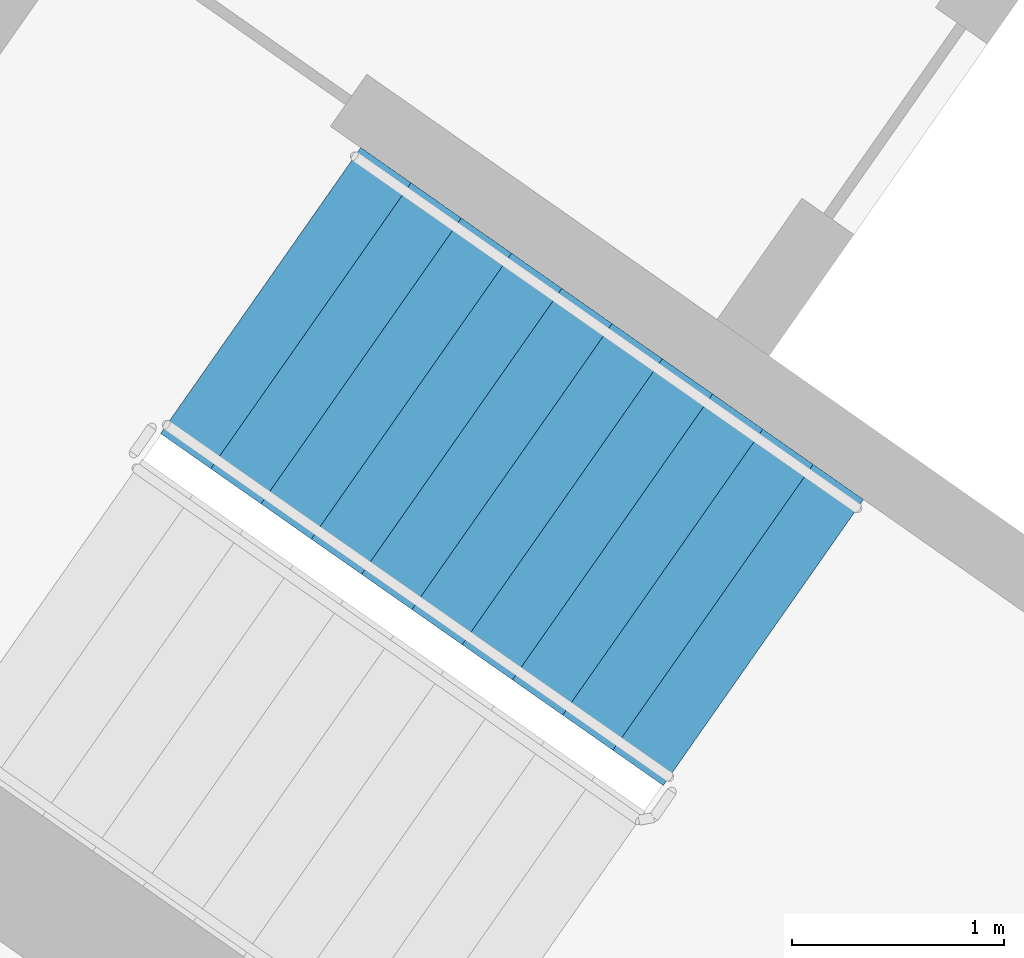
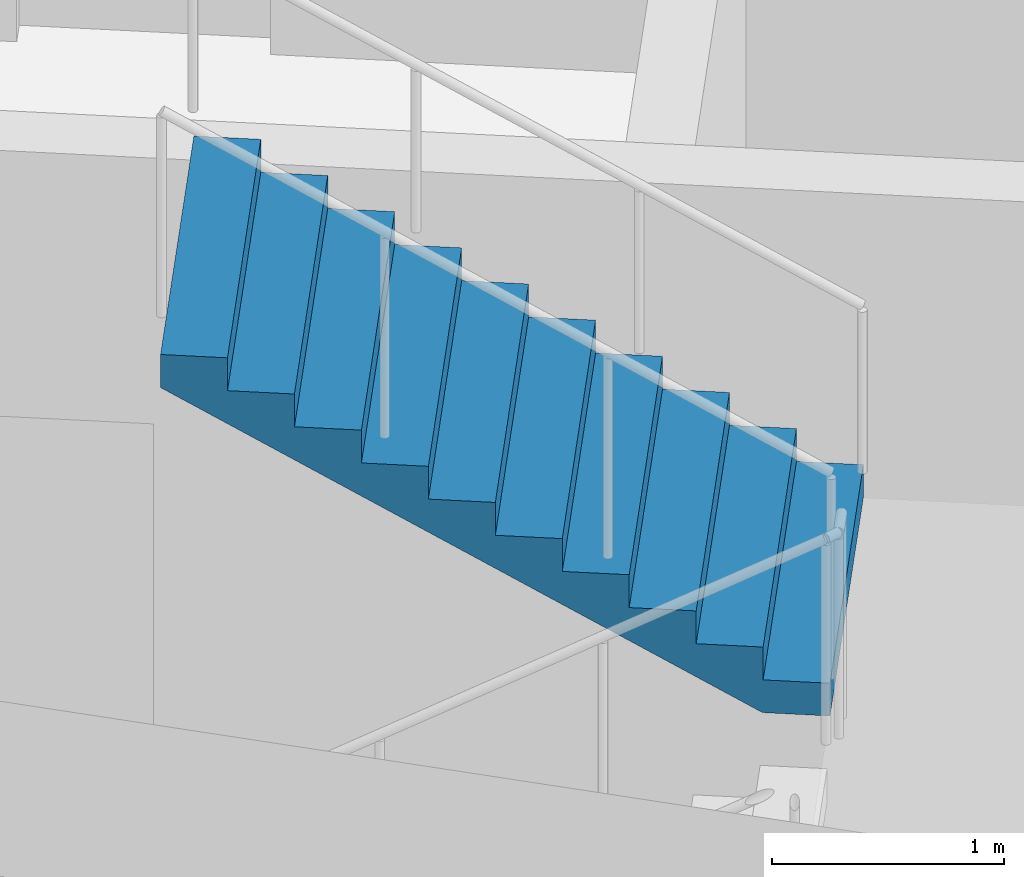
# One storey, part 10 of 27: 1 stair flight, 1 element without a shape of its own.
"""IFC4 building model written with IfcOpenShell, lengths in metres."""

import ifcopenshell
import ifcopenshell.guid

model = None  # the IFC model being written
_history = None  # IfcOwnerHistory: only IFC2X3 demands one
_inside = {}  # id of a spatial element -> (the spatial element, [elements in it])
_under = {}  # id of a project, library or spatial element -> (it, [spatial elements below it])
_declared = {}  # id of a project -> (the project, [libraries it declares])
_typed = {}  # id of a type object -> (the type object, [elements of that type])
_made_of = {}  # id of a material, layer set ... -> (it, [elements and type objects made of it])


def new_model(schema):
    """Start an empty IFC model of exactly this schema.

    Asked for "IFC4X3", IfcOpenShell would pick the latest addendum, in which some entities
    have other attributes; the version numbers below select the first issue.
    IFC2X3 requires an IfcOwnerHistory on every rooted entity: one is made here for all.
    """
    global model, _history
    if schema == "IFC4X3":
        model = ifcopenshell.file(schema_version=(4, 3, 0, 0))
    else:
        model = ifcopenshell.file(schema=schema)
    _inside.clear()
    _under.clear()
    _declared.clear()
    _typed.clear()
    _made_of.clear()
    _history = None
    if model.schema == "IFC2X3":
        org = make("IfcOrganization", Name="unknown")
        user = make(
            "IfcPersonAndOrganization",
            ThePerson=make("IfcPerson", FamilyName="unknown"),
            TheOrganization=org,
        )
        app = make(
            "IfcApplication",
            ApplicationDeveloper=org,
            Version="unknown",
            ApplicationFullName="unknown",
            ApplicationIdentifier="unknown",
        )
        _history = make(
            "IfcOwnerHistory",
            OwningUser=user,
            OwningApplication=app,
            ChangeAction="ADDED",
            CreationDate=0,
        )
    return model


def make(cls, **values):
    """One entity of the class cls with the attributes given. An attribute that is None is left unset."""
    return model.create_entity(
        cls, **{name: value for name, value in values.items() if value is not None}
    )


def rooted(cls, **values):
    """An entity with a GlobalId (a new one), such as an element, a storey or a relation."""
    return make(cls, GlobalId=ifcopenshell.guid.new(), OwnerHistory=_history, **values)


def si_unit(unit_type, name, prefix=None):
    """IfcSIUnit, for example si_unit("LENGTHUNIT", "METRE", prefix="MILLI")."""
    return make("IfcSIUnit", UnitType=unit_type, Prefix=prefix, Name=name)


def assignment(units):
    """IfcUnitAssignment: the units of a project."""
    return None if units is None else make("IfcUnitAssignment", Units=units)


def point(xyz):
    """IfcCartesianPoint."""
    return None if xyz is None else make("IfcCartesianPoint", Coordinates=xyz)


def direction(xyz):
    """IfcDirection."""
    return None if xyz is None else make("IfcDirection", DirectionRatios=xyz)


def frame(location, z_axis=None, x_axis=None):
    """IfcAxis2Placement3D, a coordinate frame: its origin and axes. An axis left out is left unset."""
    return make(
        "IfcAxis2Placement3D",
        Location=point(location),
        Axis=direction(z_axis),
        RefDirection=direction(x_axis),
    )


def origin():
    """The frame at (0, 0, 0) with its axes left unset."""
    return frame((0.0, 0.0, 0.0))


def place(relative_to, where):
    """IfcLocalPlacement: puts the frame where relative to a parent placement (None: the world)."""
    return make(
        "IfcLocalPlacement", PlacementRelTo=relative_to, RelativePlacement=where
    )


def context(
    kind, dimensions, precision=None, world=None, true_north=None, identifier=None
):
    """IfcGeometricRepresentationContext, for example the 3D "Model" context."""
    return make(
        "IfcGeometricRepresentationContext",
        ContextIdentifier=identifier,
        ContextType=kind,
        CoordinateSpaceDimension=dimensions,
        Precision=precision,
        WorldCoordinateSystem=world,
        TrueNorth=true_north,
    )


def subcontext(parent, identifier, kind, view, scale=None):
    """IfcGeometricRepresentationSubContext, for example "Body" below "Model"."""
    return make(
        "IfcGeometricRepresentationSubContext",
        ContextIdentifier=identifier,
        ContextType=kind,
        ParentContext=parent,
        TargetScale=scale,
        TargetView=view,
    )


def project(units=None, contexts=None):
    """IfcProject with its units and contexts."""
    return rooted(
        "IfcProject",
        Name="project",
        RepresentationContexts=contexts,
        UnitsInContext=assignment(units),
    )


def spatial(cls, under=None, at=None, **own):
    """A site, building, storey or space (cls), placed at a placement, below another one or the project."""
    s = rooted(cls, ObjectPlacement=at, **own)
    if under is not None:
        _under.setdefault(under.id(), (under, []))[1].append(s)
    return s


def faces_of(points, faces, orient=None, outer=None):
    """IfcFace entities. A face is a list of loops; a loop is a list of indices into points, from 0.

    orient and outer hold one flag for each loop. By default every Orientation is true, the
    first loop of a face is its IfcFaceOuterBound and the others are IfcFaceBound.
    """
    made = []
    for i, loops in enumerate(faces):
        bounds = []
        for j, loop in enumerate(loops):
            is_outer = j == 0 if outer is None else outer[i][j]
            bounds.append(
                make(
                    "IfcFaceOuterBound" if is_outer else "IfcFaceBound",
                    Bound=make("IfcPolyLoop", Polygon=[points[k] for k in loop]),
                    Orientation=True if orient is None else orient[i][j],
                )
            )
        made.append(make("IfcFace", Bounds=bounds))
    return made


def faceted_brep(points, faces, orient=None, outer=None, voids=None):
    """IfcFacetedBrep: a solid bounded by flat faces; with voids (closed shells), ...WithVoids."""
    shared = [point(p) for p in points]
    hull = make("IfcClosedShell", CfsFaces=faces_of(shared, faces, orient, outer))
    if voids is None:
        return make("IfcFacetedBrep", Outer=hull)
    return make(
        "IfcFacetedBrepWithVoids",
        Outer=hull,
        Voids=[
            make(cls, CfsFaces=faces_of(shared, fs, o, b)) for cls, fs, o, b in voids
        ],
    )


def shape(context_of_items, identifier, shape_type, items):
    """IfcShapeRepresentation: the items that make up one representation, for example the "Body"."""
    return make(
        "IfcShapeRepresentation",
        ContextOfItems=context_of_items,
        RepresentationIdentifier=identifier,
        RepresentationType=shape_type,
        Items=items,
    )


def material(Name=None, Category=None):
    """IfcMaterial."""
    return make("IfcMaterial", Name=Name, Category=Category)


def made_of(thing, what):
    """Note that an element or type object is made of a material, layer set ...; save() writes the relation."""
    if what is not None:
        _made_of.setdefault(what.id(), (what, []))[1].append(thing)
    return thing


def type_object(cls, material=None, **own):
    """A type object (cls), such as IfcWallType, which elements share."""
    return made_of(rooted(cls, **own), material)


def element(
    cls,
    number,
    at=None,
    inside=None,
    cuts=None,
    type_object=None,
    material=None,
    context=None,
    identifier="Body",
    shape_type=None,
    held_by="IfcProductDefinitionShape",
    body=None,
    shapes=None,
    **own,
):
    """One element of the class cls, such as IfcWall. Its Tag is "e" and its number.

    at: its placement. inside: the storey or other place that contains it. cuts: it is an
    opening in that element (IfcRelVoidsElement). A single representation is given by context,
    identifier, shape_type and body (its items); several are given by shapes. held_by: the class
    of the entity that holds the representations. save() writes the other relations.
    """
    e = rooted(cls, Tag="e%d" % number, ObjectPlacement=at, **own)
    if body is not None:
        shapes = [shape(context, identifier, shape_type, body)]
    if shapes is not None:
        e.Representation = make(held_by, Representations=shapes)
    if inside is not None:
        _inside.setdefault(inside.id(), (inside, []))[1].append(e)
    if cuts is not None:
        rooted(
            "IfcRelVoidsElement", RelatingBuildingElement=cuts, RelatedOpeningElement=e
        )
    if type_object is not None:
        _typed.setdefault(type_object.id(), (type_object, []))[1].append(e)
    return made_of(e, material)


def aggregate(whole, parts):
    """IfcRelAggregates: a whole, such as a stair, and the parts it consists of."""
    return rooted("IfcRelAggregates", RelatingObject=whole, RelatedObjects=parts)


def save(model, path):
    """Write the relations noted so far, then the file.

    IfcRelAggregates (storeys below a building ...), IfcRelContainedInSpatialStructure (elements
    in a storey), IfcRelDefinesByType, IfcRelAssociatesMaterial and IfcRelDeclares: one each for
    every whole, place, type object, material and project.
    """
    for whole, parts in _under.values():
        aggregate(whole, parts)
    for where, things in _inside.values():
        rooted(
            "IfcRelContainedInSpatialStructure",
            RelatedElements=things,
            RelatingStructure=where,
        )
    for kind, things in _typed.values():
        rooted("IfcRelDefinesByType", RelatedObjects=things, RelatingType=kind)
    for what, things in _made_of.values():
        rooted("IfcRelAssociatesMaterial", RelatedObjects=things, RelatingMaterial=what)
    for by, libraries in _declared.values():
        rooted("IfcRelDeclares", RelatingContext=by, RelatedDefinitions=libraries)
    model.write(path)


model = new_model("IFC4")

# Units and contexts
model_context = context("Model", 3, precision=1e-05, world=origin(), true_north=direction((0.0, 1.0)))
body_context = subcontext(model_context, "Body", "Model", "MODEL_VIEW")
ifc_project = project(units=[si_unit("LENGTHUNIT", "METRE"), si_unit("AREAUNIT", "SQUARE_METRE"), si_unit("VOLUMEUNIT", "CUBIC_METRE"), si_unit("PLANEANGLEUNIT", "RADIAN"), si_unit("MASSUNIT", "GRAM", prefix="KILO")], contexts=[model_context])

# Site, building, storey
site_placement = place(None, origin())
site = spatial("IfcSite", under=ifc_project, at=site_placement, CompositionType="ELEMENT")
building_placement = place(site_placement, origin())
building = spatial("IfcBuilding", under=site, at=building_placement, Name="Qamariyya Broadcast Tower", CompositionType="ELEMENT")
storey_placement = place(building_placement, frame((0.0, 0.0, 191.10009765625)))
storey = spatial("IfcBuildingStorey", under=building, at=storey_placement, Name="L45", CompositionType="ELEMENT", Elevation=191.10009765625)

# Stair, stair flight
ifc_material = material(Name="Concrete C50/60", Category="concrete")
stair_type = type_object("IfcStairType", Name="Exit stair 22 risers of 173 mm", PredefinedType="HALF_TURN_STAIR", material=ifc_material)
stair_placement = place(storey_placement, origin())
stair = element("IfcStair", 1, at=stair_placement, inside=storey, type_object=stair_type, Name="L45 Stair W1", PredefinedType="HALF_TURN_STAIR")
stair_flight_type = type_object("IfcStairFlightType", Name="Exit stair flight 11 risers of 173 mm", PredefinedType="STRAIGHT", material=ifc_material)
stair_flight_placement = place(storey_placement, frame((-43.660888671875, -57.17138671875, 1.89990234375), z_axis=(0.0, 0.0, 1.0), x_axis=(-0.819152044289, 0.573576436351, 0.0)))
stair_flight = element("IfcStairFlight", 2, at=stair_flight_placement, type_object=stair_flight_type, Name="ST-W1 flight 2", NumberOfRisers=11, NumberOfTreads=10, PredefinedType="STRAIGHT", RiserHeight=0.172727273, TreadLength=0.29, context=body_context, shape_type="Brep", body=[
    faceted_brep([(0.0, 0.824951171875, 0.0), (0.0, 0.824951171875, 0.172607421875), (0.2900390625, 0.824951171875, 0.172607421875), (0.2900390625, 0.824951171875, 0.345458984375), (0.580078125, 0.824951171875, 0.345458984375), (0.580078125, 0.824951171875, 0.51806640625), (0.8701171875, 0.824951171875, 0.51806640625), (0.8701171875, 0.824951171875, 0.69091796875), (1.159912109375, 0.824951171875, 0.69091796875), (1.159912109375, 0.824951171875, 0.863525390625), (1.449951171875, 0.824951171875, 0.863525390625), (1.449951171875, 0.824951171875, 1.036376953125), (1.739990234375, 0.824951171875, 1.036376953125), (1.739990234375, 0.824951171875, 1.208984375), (2.030029296875, 0.824951171875, 1.208984375), (2.030029296875, 0.824951171875, 1.3818359375), (2.320068359375, 0.824951171875, 1.3818359375), (2.320068359375, 0.824951171875, 1.554443359375), (2.610107421875, 0.824951171875, 1.554443359375), (2.610107421875, 0.824951171875, 1.727294921875), (2.89990234375, 0.824951171875, 1.727294921875), (2.89990234375, 0.824951171875, 1.552734375), (0.29296875, 0.824951171875, 0.0), (0.29296875, -0.824951171875, 0.0), (2.89990234375, -0.824951171875, 1.552734375), (2.89990234375, -0.824951171875, 1.727294921875), (2.610107421875, -0.824951171875, 1.727294921875), (2.610107421875, -0.824951171875, 1.554443359375), (2.320068359375, -0.824951171875, 1.554443359375), (2.320068359375, -0.824951171875, 1.3818359375), (2.030029296875, -0.824951171875, 1.3818359375), (2.030029296875, -0.824951171875, 1.208984375), (1.739990234375, -0.824951171875, 1.208984375), (1.739990234375, -0.824951171875, 1.036376953125), (1.449951171875, -0.824951171875, 1.036376953125), (1.449951171875, -0.824951171875, 0.863525390625), (1.159912109375, -0.824951171875, 0.863525390625), (1.159912109375, -0.824951171875, 0.69091796875), (0.8701171875, -0.824951171875, 0.69091796875), (0.8701171875, -0.824951171875, 0.51806640625), (0.580078125, -0.824951171875, 0.51806640625), (0.580078125, -0.824951171875, 0.345458984375), (0.2900390625, -0.824951171875, 0.345458984375), (0.2900390625, -0.824951171875, 0.172607421875), (0.0, -0.824951171875, 0.172607421875), (0.0, -0.824951171875, 0.0), (0.0, 0.10009765625, 0.0), (0.0, 0.086669921875, 0.0), (0.0, 0.0732421875, 0.0), (0.0, 0.06005859375, 0.0), (0.0, 0.046630859375, 0.0), (0.0, 0.033447265625, 0.0), (0.0, 0.02001953125, 0.0), (0.0, 0.006591796875, 0.0), (0.0, -0.006591796875, 0.0), (0.0, -0.02001953125, 0.0), (0.0, -0.033447265625, 0.0), (0.0, -0.046630859375, 0.0), (0.0, -0.06005859375, 0.0), (0.0, -0.0732421875, 0.0), (0.0, -0.086669921875, 0.0), (0.0, -0.10009765625, 0.0), (0.0, -0.10009765625, 0.172607421875), (0.0, -0.086669921875, 0.172607421875), (0.0, -0.0732421875, 0.172607421875), (0.0, -0.06005859375, 0.172607421875), (0.0, -0.046630859375, 0.172607421875), (0.0, -0.033447265625, 0.172607421875), (0.0, -0.02001953125, 0.172607421875), (0.0, -0.006591796875, 0.172607421875), (0.0, 0.006591796875, 0.172607421875), (0.0, 0.02001953125, 0.172607421875), (0.0, 0.033447265625, 0.172607421875), (0.0, 0.046630859375, 0.172607421875), (0.0, 0.06005859375, 0.172607421875), (0.0, 0.0732421875, 0.172607421875), (0.0, 0.086669921875, 0.172607421875), (0.0, 0.10009765625, 0.172607421875), (0.2900390625, -0.10009765625, 0.172607421875), (0.2900390625, -0.086669921875, 0.172607421875), (0.2900390625, -0.0732421875, 0.172607421875), (0.2900390625, -0.06005859375, 0.172607421875), (0.2900390625, -0.046630859375, 0.172607421875), (0.2900390625, -0.033447265625, 0.172607421875), (0.2900390625, -0.02001953125, 0.172607421875), (0.2900390625, -0.006591796875, 0.172607421875), (0.2900390625, 0.006591796875, 0.172607421875), (0.2900390625, 0.02001953125, 0.172607421875), (0.2900390625, 0.033447265625, 0.172607421875), (0.2900390625, 0.046630859375, 0.172607421875), (0.2900390625, 0.06005859375, 0.172607421875), (0.2900390625, 0.0732421875, 0.172607421875), (0.2900390625, 0.086669921875, 0.172607421875), (0.2900390625, 0.10009765625, 0.172607421875), (0.2900390625, -0.10009765625, 0.345458984375), (0.2900390625, -0.086669921875, 0.345458984375), (0.2900390625, -0.0732421875, 0.345458984375), (0.2900390625, -0.06005859375, 0.345458984375), (0.2900390625, -0.046630859375, 0.345458984375), (0.2900390625, -0.033447265625, 0.345458984375), (0.2900390625, -0.02001953125, 0.345458984375), (0.2900390625, -0.006591796875, 0.345458984375), (0.2900390625, 0.006591796875, 0.345458984375), (0.2900390625, 0.02001953125, 0.345458984375), (0.2900390625, 0.033447265625, 0.345458984375), (0.2900390625, 0.046630859375, 0.345458984375), (0.2900390625, 0.06005859375, 0.345458984375), (0.2900390625, 0.0732421875, 0.345458984375), (0.2900390625, 0.086669921875, 0.345458984375), (0.2900390625, 0.10009765625, 0.345458984375), (0.580078125, -0.10009765625, 0.345458984375), (0.580078125, -0.086669921875, 0.345458984375), (0.580078125, -0.0732421875, 0.345458984375), (0.580078125, -0.06005859375, 0.345458984375), (0.580078125, -0.046630859375, 0.345458984375), (0.580078125, -0.033447265625, 0.345458984375), (0.580078125, -0.02001953125, 0.345458984375), (0.580078125, -0.006591796875, 0.345458984375), (0.580078125, 0.006591796875, 0.345458984375), (0.580078125, 0.02001953125, 0.345458984375), (0.580078125, 0.033447265625, 0.345458984375), (0.580078125, 0.046630859375, 0.345458984375), (0.580078125, 0.06005859375, 0.345458984375), (0.580078125, 0.0732421875, 0.345458984375), (0.580078125, 0.086669921875, 0.345458984375), (0.580078125, 0.10009765625, 0.345458984375), (0.580078125, -0.10009765625, 0.51806640625), (0.580078125, -0.086669921875, 0.51806640625), (0.580078125, -0.0732421875, 0.51806640625), (0.580078125, -0.06005859375, 0.51806640625), (0.580078125, -0.046630859375, 0.51806640625), (0.580078125, -0.033447265625, 0.51806640625), (0.580078125, -0.02001953125, 0.51806640625), (0.580078125, -0.006591796875, 0.51806640625), (0.580078125, 0.006591796875, 0.51806640625), (0.580078125, 0.02001953125, 0.51806640625), (0.580078125, 0.033447265625, 0.51806640625), (0.580078125, 0.046630859375, 0.51806640625), (0.580078125, 0.06005859375, 0.51806640625), (0.580078125, 0.0732421875, 0.51806640625), (0.580078125, 0.086669921875, 0.51806640625), (0.580078125, 0.10009765625, 0.51806640625), (0.8701171875, -0.10009765625, 0.51806640625), (0.8701171875, -0.086669921875, 0.51806640625), (0.8701171875, -0.0732421875, 0.51806640625), (0.8701171875, -0.06005859375, 0.51806640625), (0.8701171875, -0.046630859375, 0.51806640625), (0.8701171875, -0.033447265625, 0.51806640625), (0.8701171875, -0.02001953125, 0.51806640625), (0.8701171875, -0.006591796875, 0.51806640625), (0.8701171875, 0.006591796875, 0.51806640625), (0.8701171875, 0.02001953125, 0.51806640625), (0.8701171875, 0.033447265625, 0.51806640625), (0.8701171875, 0.046630859375, 0.51806640625), (0.8701171875, 0.06005859375, 0.51806640625), (0.8701171875, 0.0732421875, 0.51806640625), (0.8701171875, 0.086669921875, 0.51806640625), (0.8701171875, 0.10009765625, 0.51806640625), (0.8701171875, -0.10009765625, 0.69091796875), (0.8701171875, -0.086669921875, 0.69091796875), (0.8701171875, -0.0732421875, 0.69091796875), (0.8701171875, -0.06005859375, 0.69091796875), (0.8701171875, -0.046630859375, 0.69091796875), (0.8701171875, -0.033447265625, 0.69091796875), (0.8701171875, -0.02001953125, 0.69091796875), (0.8701171875, -0.006591796875, 0.69091796875), (0.8701171875, 0.006591796875, 0.69091796875), (0.8701171875, 0.02001953125, 0.69091796875), (0.8701171875, 0.033447265625, 0.69091796875), (0.8701171875, 0.046630859375, 0.69091796875), (0.8701171875, 0.06005859375, 0.69091796875), (0.8701171875, 0.0732421875, 0.69091796875), (0.8701171875, 0.086669921875, 0.69091796875), (0.8701171875, 0.10009765625, 0.69091796875), (1.159912109375, -0.10009765625, 0.69091796875), (1.159912109375, -0.086669921875, 0.69091796875), (1.159912109375, -0.0732421875, 0.69091796875), (1.159912109375, -0.06005859375, 0.69091796875), (1.159912109375, -0.046630859375, 0.69091796875), (1.159912109375, -0.033447265625, 0.69091796875), (1.159912109375, -0.02001953125, 0.69091796875), (1.159912109375, -0.006591796875, 0.69091796875), (1.159912109375, 0.006591796875, 0.69091796875), (1.159912109375, 0.02001953125, 0.69091796875), (1.159912109375, 0.033447265625, 0.69091796875), (1.159912109375, 0.046630859375, 0.69091796875), (1.159912109375, 0.06005859375, 0.69091796875), (1.159912109375, 0.0732421875, 0.69091796875), (1.159912109375, 0.086669921875, 0.69091796875), (1.159912109375, 0.10009765625, 0.69091796875), (1.159912109375, -0.10009765625, 0.863525390625), (1.159912109375, -0.086669921875, 0.863525390625), (1.159912109375, -0.0732421875, 0.863525390625), (1.159912109375, -0.06005859375, 0.863525390625), (1.159912109375, -0.046630859375, 0.863525390625), (1.159912109375, -0.033447265625, 0.863525390625), (1.159912109375, -0.02001953125, 0.863525390625), (1.159912109375, -0.006591796875, 0.863525390625), (1.159912109375, 0.006591796875, 0.863525390625), (1.159912109375, 0.02001953125, 0.863525390625), (1.159912109375, 0.033447265625, 0.863525390625), (1.159912109375, 0.046630859375, 0.863525390625), (1.159912109375, 0.06005859375, 0.863525390625), (1.159912109375, 0.0732421875, 0.863525390625), (1.159912109375, 0.086669921875, 0.863525390625), (1.159912109375, 0.10009765625, 0.863525390625), (1.449951171875, -0.10009765625, 0.863525390625), (1.449951171875, -0.086669921875, 0.863525390625), (1.449951171875, -0.0732421875, 0.863525390625), (1.449951171875, -0.06005859375, 0.863525390625), (1.449951171875, -0.046630859375, 0.863525390625), (1.449951171875, -0.033447265625, 0.863525390625), (1.449951171875, -0.02001953125, 0.863525390625), (1.449951171875, -0.006591796875, 0.863525390625), (1.449951171875, 0.006591796875, 0.863525390625), (1.449951171875, 0.02001953125, 0.863525390625), (1.449951171875, 0.033447265625, 0.863525390625), (1.449951171875, 0.046630859375, 0.863525390625), (1.449951171875, 0.06005859375, 0.863525390625), (1.449951171875, 0.0732421875, 0.863525390625), (1.449951171875, 0.086669921875, 0.863525390625), (1.449951171875, 0.10009765625, 0.863525390625), (1.449951171875, -0.10009765625, 1.036376953125), (1.449951171875, -0.086669921875, 1.036376953125), (1.449951171875, -0.0732421875, 1.036376953125), (1.449951171875, -0.06005859375, 1.036376953125), (1.449951171875, -0.046630859375, 1.036376953125), (1.449951171875, -0.033447265625, 1.036376953125), (1.449951171875, -0.02001953125, 1.036376953125), (1.449951171875, -0.006591796875, 1.036376953125), (1.449951171875, 0.006591796875, 1.036376953125), (1.449951171875, 0.02001953125, 1.036376953125), (1.449951171875, 0.033447265625, 1.036376953125), (1.449951171875, 0.046630859375, 1.036376953125), (1.449951171875, 0.06005859375, 1.036376953125), (1.449951171875, 0.0732421875, 1.036376953125), (1.449951171875, 0.086669921875, 1.036376953125), (1.449951171875, 0.10009765625, 1.036376953125), (1.739990234375, -0.10009765625, 1.036376953125), (1.739990234375, -0.086669921875, 1.036376953125), (1.739990234375, -0.0732421875, 1.036376953125), (1.739990234375, -0.06005859375, 1.036376953125), (1.739990234375, -0.046630859375, 1.036376953125), (1.739990234375, -0.033447265625, 1.036376953125), (1.739990234375, -0.02001953125, 1.036376953125), (1.739990234375, -0.006591796875, 1.036376953125), (1.739990234375, 0.006591796875, 1.036376953125), (1.739990234375, 0.02001953125, 1.036376953125), (1.739990234375, 0.033447265625, 1.036376953125), (1.739990234375, 0.046630859375, 1.036376953125), (1.739990234375, 0.06005859375, 1.036376953125), (1.739990234375, 0.0732421875, 1.036376953125), (1.739990234375, 0.086669921875, 1.036376953125), (1.739990234375, 0.10009765625, 1.036376953125), (1.739990234375, -0.10009765625, 1.208984375), (1.739990234375, -0.086669921875, 1.208984375), (1.739990234375, -0.0732421875, 1.208984375), (1.739990234375, -0.06005859375, 1.208984375), (1.739990234375, -0.046630859375, 1.208984375), (1.739990234375, -0.033447265625, 1.208984375), (1.739990234375, -0.02001953125, 1.208984375), (1.739990234375, -0.006591796875, 1.208984375), (1.739990234375, 0.006591796875, 1.208984375), (1.739990234375, 0.02001953125, 1.208984375), (1.739990234375, 0.033447265625, 1.208984375), (1.739990234375, 0.046630859375, 1.208984375), (1.739990234375, 0.06005859375, 1.208984375), (1.739990234375, 0.0732421875, 1.208984375), (1.739990234375, 0.086669921875, 1.208984375), (1.739990234375, 0.10009765625, 1.208984375), (2.030029296875, -0.10009765625, 1.208984375), (2.030029296875, -0.086669921875, 1.208984375), (2.030029296875, -0.0732421875, 1.208984375), (2.030029296875, -0.06005859375, 1.208984375), (2.030029296875, -0.046630859375, 1.208984375), (2.030029296875, -0.033447265625, 1.208984375), (2.030029296875, -0.02001953125, 1.208984375), (2.030029296875, -0.006591796875, 1.208984375), (2.030029296875, 0.006591796875, 1.208984375), (2.030029296875, 0.02001953125, 1.208984375), (2.030029296875, 0.033447265625, 1.208984375), (2.030029296875, 0.046630859375, 1.208984375), (2.030029296875, 0.06005859375, 1.208984375), (2.030029296875, 0.0732421875, 1.208984375), (2.030029296875, 0.086669921875, 1.208984375), (2.030029296875, 0.10009765625, 1.208984375), (2.030029296875, -0.10009765625, 1.3818359375), (2.030029296875, -0.086669921875, 1.3818359375), (2.030029296875, -0.0732421875, 1.3818359375), (2.030029296875, -0.06005859375, 1.3818359375), (2.030029296875, -0.046630859375, 1.3818359375), (2.030029296875, -0.033447265625, 1.3818359375), (2.030029296875, -0.02001953125, 1.3818359375), (2.030029296875, -0.006591796875, 1.3818359375), (2.030029296875, 0.006591796875, 1.3818359375), (2.030029296875, 0.02001953125, 1.3818359375), (2.030029296875, 0.033447265625, 1.3818359375), (2.030029296875, 0.046630859375, 1.3818359375), (2.030029296875, 0.06005859375, 1.3818359375), (2.030029296875, 0.0732421875, 1.3818359375), (2.030029296875, 0.086669921875, 1.3818359375), (2.030029296875, 0.10009765625, 1.3818359375), (2.320068359375, -0.10009765625, 1.3818359375), (2.320068359375, -0.086669921875, 1.3818359375), (2.320068359375, -0.0732421875, 1.3818359375), (2.320068359375, -0.06005859375, 1.3818359375), (2.320068359375, -0.046630859375, 1.3818359375), (2.320068359375, -0.033447265625, 1.3818359375), (2.320068359375, -0.02001953125, 1.3818359375), (2.320068359375, -0.006591796875, 1.3818359375), (2.320068359375, 0.006591796875, 1.3818359375), (2.320068359375, 0.02001953125, 1.3818359375), (2.320068359375, 0.033447265625, 1.3818359375), (2.320068359375, 0.046630859375, 1.3818359375), (2.320068359375, 0.06005859375, 1.3818359375), (2.320068359375, 0.0732421875, 1.3818359375), (2.320068359375, 0.086669921875, 1.3818359375), (2.320068359375, 0.10009765625, 1.3818359375), (2.320068359375, -0.10009765625, 1.554443359375), (2.320068359375, -0.086669921875, 1.554443359375), (2.320068359375, -0.0732421875, 1.554443359375), (2.320068359375, -0.06005859375, 1.554443359375), (2.320068359375, -0.046630859375, 1.554443359375), (2.320068359375, -0.033447265625, 1.554443359375), (2.320068359375, -0.02001953125, 1.554443359375), (2.320068359375, -0.006591796875, 1.554443359375), (2.320068359375, 0.006591796875, 1.554443359375), (2.320068359375, 0.02001953125, 1.554443359375), (2.320068359375, 0.033447265625, 1.554443359375), (2.320068359375, 0.046630859375, 1.554443359375), (2.320068359375, 0.06005859375, 1.554443359375), (2.320068359375, 0.0732421875, 1.554443359375), (2.320068359375, 0.086669921875, 1.554443359375), (2.320068359375, 0.10009765625, 1.554443359375), (2.610107421875, -0.10009765625, 1.554443359375), (2.610107421875, -0.086669921875, 1.554443359375), (2.610107421875, -0.0732421875, 1.554443359375), (2.610107421875, -0.06005859375, 1.554443359375), (2.610107421875, -0.046630859375, 1.554443359375), (2.610107421875, -0.033447265625, 1.554443359375), (2.610107421875, -0.02001953125, 1.554443359375), (2.610107421875, -0.006591796875, 1.554443359375), (2.610107421875, 0.006591796875, 1.554443359375), (2.610107421875, 0.02001953125, 1.554443359375), (2.610107421875, 0.033447265625, 1.554443359375), (2.610107421875, 0.046630859375, 1.554443359375), (2.610107421875, 0.06005859375, 1.554443359375), (2.610107421875, 0.0732421875, 1.554443359375), (2.610107421875, 0.086669921875, 1.554443359375), (2.610107421875, 0.10009765625, 1.554443359375), (2.610107421875, -0.10009765625, 1.727294921875), (2.610107421875, -0.086669921875, 1.727294921875), (2.610107421875, -0.0732421875, 1.727294921875), (2.610107421875, -0.06005859375, 1.727294921875), (2.610107421875, -0.046630859375, 1.727294921875), (2.610107421875, -0.033447265625, 1.727294921875), (2.610107421875, -0.02001953125, 1.727294921875), (2.610107421875, -0.006591796875, 1.727294921875), (2.610107421875, 0.006591796875, 1.727294921875), (2.610107421875, 0.02001953125, 1.727294921875), (2.610107421875, 0.033447265625, 1.727294921875), (2.610107421875, 0.046630859375, 1.727294921875), (2.610107421875, 0.06005859375, 1.727294921875), (2.610107421875, 0.0732421875, 1.727294921875), (2.610107421875, 0.086669921875, 1.727294921875), (2.610107421875, 0.10009765625, 1.727294921875), (2.89990234375, -0.10009765625, 1.727294921875), (2.89990234375, -0.086669921875, 1.727294921875), (2.89990234375, -0.0732421875, 1.727294921875), (2.89990234375, -0.06005859375, 1.727294921875), (2.89990234375, -0.046630859375, 1.727294921875), (2.89990234375, -0.033447265625, 1.727294921875), (2.89990234375, -0.02001953125, 1.727294921875), (2.89990234375, -0.006591796875, 1.727294921875), (2.89990234375, 0.006591796875, 1.727294921875), (2.89990234375, 0.02001953125, 1.727294921875), (2.89990234375, 0.033447265625, 1.727294921875), (2.89990234375, 0.046630859375, 1.727294921875), (2.89990234375, 0.06005859375, 1.727294921875), (2.89990234375, 0.0732421875, 1.727294921875), (2.89990234375, 0.086669921875, 1.727294921875), (2.89990234375, 0.10009765625, 1.727294921875), (2.89990234375, -0.10009765625, 1.552734375), (2.89990234375, -0.086669921875, 1.552734375), (2.89990234375, -0.0732421875, 1.552734375), (2.89990234375, -0.06005859375, 1.552734375), (2.89990234375, -0.046630859375, 1.552734375), (2.89990234375, -0.033447265625, 1.552734375), (2.89990234375, -0.02001953125, 1.552734375), (2.89990234375, -0.006591796875, 1.552734375), (2.89990234375, 0.006591796875, 1.552734375), (2.89990234375, 0.02001953125, 1.552734375), (2.89990234375, 0.033447265625, 1.552734375), (2.89990234375, 0.046630859375, 1.552734375), (2.89990234375, 0.06005859375, 1.552734375), (2.89990234375, 0.0732421875, 1.552734375), (2.89990234375, 0.086669921875, 1.552734375), (2.89990234375, 0.10009765625, 1.552734375), (0.29296875, -0.10009765625, 0.0), (0.29296875, -0.086669921875, 0.0), (0.29296875, -0.0732421875, 0.0), (0.29296875, -0.06005859375, 0.0), (0.29296875, -0.046630859375, 0.0), (0.29296875, -0.033447265625, 0.0), (0.29296875, -0.02001953125, 0.0), (0.29296875, -0.006591796875, 0.0), (0.29296875, 0.006591796875, 0.0), (0.29296875, 0.02001953125, 0.0), (0.29296875, 0.033447265625, 0.0), (0.29296875, 0.046630859375, 0.0), (0.29296875, 0.06005859375, 0.0), (0.29296875, 0.0732421875, 0.0), (0.29296875, 0.086669921875, 0.0), (0.29296875, 0.10009765625, 0.0)], [[[0, 1, 2, 3, 4, 5, 6, 7, 8, 9, 10, 11, 12, 13, 14, 15, 16, 17, 18, 19, 20, 21, 22]], [[23, 24, 25, 26, 27, 28, 29, 30, 31, 32, 33, 34, 35, 36, 37, 38, 39, 40, 41, 42, 43, 44, 45]], [[0, 46, 47, 48, 49, 50, 51, 52, 53, 54, 55, 56, 57, 58, 59, 60, 61, 45, 44, 62, 63, 64, 65, 66, 67, 68, 69, 70, 71, 72, 73, 74, 75, 76, 77, 1]], [[1, 77, 76, 75, 74, 73, 72, 71, 70, 69, 68, 67, 66, 65, 64, 63, 62, 44, 43, 78, 79, 80, 81, 82, 83, 84, 85, 86, 87, 88, 89, 90, 91, 92, 93, 2]], [[2, 93, 92, 91, 90, 89, 88, 87, 86, 85, 84, 83, 82, 81, 80, 79, 78, 43, 42, 94, 95, 96, 97, 98, 99, 100, 101, 102, 103, 104, 105, 106, 107, 108, 109, 3]], [[3, 109, 108, 107, 106, 105, 104, 103, 102, 101, 100, 99, 98, 97, 96, 95, 94, 42, 41, 110, 111, 112, 113, 114, 115, 116, 117, 118, 119, 120, 121, 122, 123, 124, 125, 4]], [[4, 125, 124, 123, 122, 121, 120, 119, 118, 117, 116, 115, 114, 113, 112, 111, 110, 41, 40, 126, 127, 128, 129, 130, 131, 132, 133, 134, 135, 136, 137, 138, 139, 140, 141, 5]], [[5, 141, 140, 139, 138, 137, 136, 135, 134, 133, 132, 131, 130, 129, 128, 127, 126, 40, 39, 142, 143, 144, 145, 146, 147, 148, 149, 150, 151, 152, 153, 154, 155, 156, 157, 6]], [[6, 157, 156, 155, 154, 153, 152, 151, 150, 149, 148, 147, 146, 145, 144, 143, 142, 39, 38, 158, 159, 160, 161, 162, 163, 164, 165, 166, 167, 168, 169, 170, 171, 172, 173, 7]], [[7, 173, 172, 171, 170, 169, 168, 167, 166, 165, 164, 163, 162, 161, 160, 159, 158, 38, 37, 174, 175, 176, 177, 178, 179, 180, 181, 182, 183, 184, 185, 186, 187, 188, 189, 8]], [[8, 189, 188, 187, 186, 185, 184, 183, 182, 181, 180, 179, 178, 177, 176, 175, 174, 37, 36, 190, 191, 192, 193, 194, 195, 196, 197, 198, 199, 200, 201, 202, 203, 204, 205, 9]], [[9, 205, 204, 203, 202, 201, 200, 199, 198, 197, 196, 195, 194, 193, 192, 191, 190, 36, 35, 206, 207, 208, 209, 210, 211, 212, 213, 214, 215, 216, 217, 218, 219, 220, 221, 10]], [[10, 221, 220, 219, 218, 217, 216, 215, 214, 213, 212, 211, 210, 209, 208, 207, 206, 35, 34, 222, 223, 224, 225, 226, 227, 228, 229, 230, 231, 232, 233, 234, 235, 236, 237, 11]], [[11, 237, 236, 235, 234, 233, 232, 231, 230, 229, 228, 227, 226, 225, 224, 223, 222, 34, 33, 238, 239, 240, 241, 242, 243, 244, 245, 246, 247, 248, 249, 250, 251, 252, 253, 12]], [[12, 253, 252, 251, 250, 249, 248, 247, 246, 245, 244, 243, 242, 241, 240, 239, 238, 33, 32, 254, 255, 256, 257, 258, 259, 260, 261, 262, 263, 264, 265, 266, 267, 268, 269, 13]], [[13, 269, 268, 267, 266, 265, 264, 263, 262, 261, 260, 259, 258, 257, 256, 255, 254, 32, 31, 270, 271, 272, 273, 274, 275, 276, 277, 278, 279, 280, 281, 282, 283, 284, 285, 14]], [[14, 285, 284, 283, 282, 281, 280, 279, 278, 277, 276, 275, 274, 273, 272, 271, 270, 31, 30, 286, 287, 288, 289, 290, 291, 292, 293, 294, 295, 296, 297, 298, 299, 300, 301, 15]], [[15, 301, 300, 299, 298, 297, 296, 295, 294, 293, 292, 291, 290, 289, 288, 287, 286, 30, 29, 302, 303, 304, 305, 306, 307, 308, 309, 310, 311, 312, 313, 314, 315, 316, 317, 16]], [[16, 317, 316, 315, 314, 313, 312, 311, 310, 309, 308, 307, 306, 305, 304, 303, 302, 29, 28, 318, 319, 320, 321, 322, 323, 324, 325, 326, 327, 328, 329, 330, 331, 332, 333, 17]], [[17, 333, 332, 331, 330, 329, 328, 327, 326, 325, 324, 323, 322, 321, 320, 319, 318, 28, 27, 334, 335, 336, 337, 338, 339, 340, 341, 342, 343, 344, 345, 346, 347, 348, 349, 18]], [[18, 349, 348, 347, 346, 345, 344, 343, 342, 341, 340, 339, 338, 337, 336, 335, 334, 27, 26, 350, 351, 352, 353, 354, 355, 356, 357, 358, 359, 360, 361, 362, 363, 364, 365, 19]], [[19, 365, 364, 363, 362, 361, 360, 359, 358, 357, 356, 355, 354, 353, 352, 351, 350, 26, 25, 366, 367, 368, 369, 370, 371, 372, 373, 374, 375, 376, 377, 378, 379, 380, 381, 20]], [[20, 381, 380, 379, 378, 377, 376, 375, 374, 373, 372, 371, 370, 369, 368, 367, 366, 25, 24, 382, 383, 384, 385, 386, 387, 388, 389, 390, 391, 392, 393, 394, 395, 396, 397, 21]], [[21, 397, 396, 395, 394, 393, 392, 391, 390, 389, 388, 387, 386, 385, 384, 383, 382, 24, 23, 398, 399, 400, 401, 402, 403, 404, 405, 406, 407, 408, 409, 410, 411, 412, 413, 22]], [[22, 413, 412, 411, 410, 409, 408, 407, 406, 405, 404, 403, 402, 401, 400, 399, 398, 23, 45, 61, 60, 59, 58, 57, 56, 55, 54, 53, 52, 51, 50, 49, 48, 47, 46, 0]]]),
])
aggregate(stair, [stair_flight])

save(model, "model.ifc")
